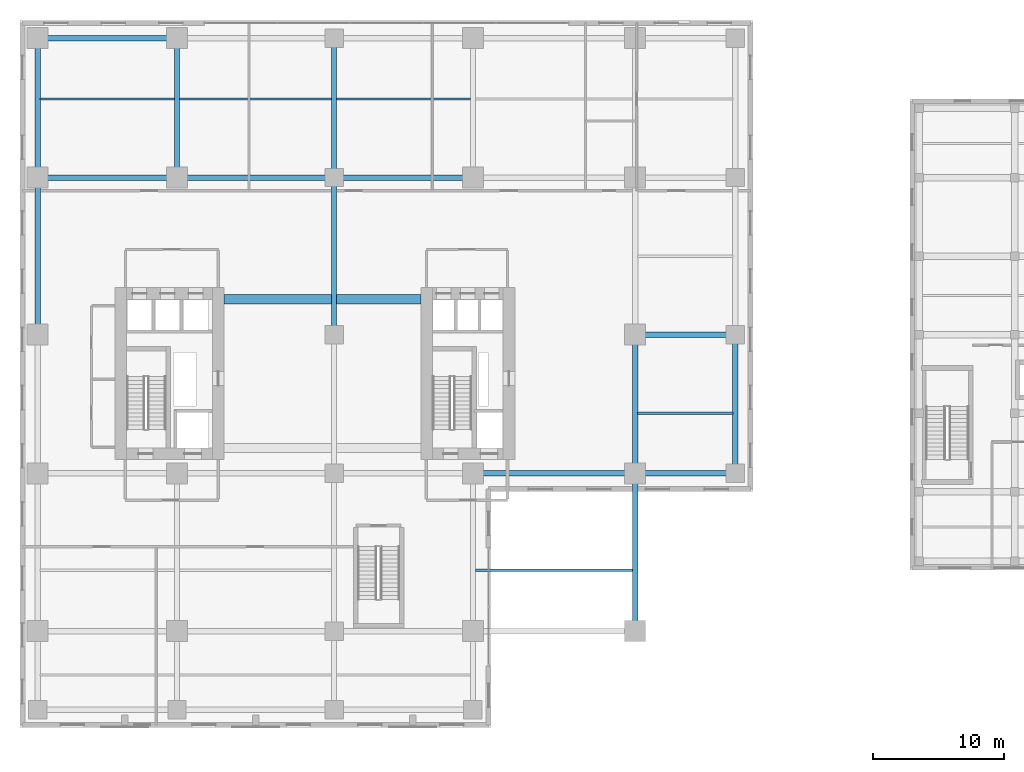
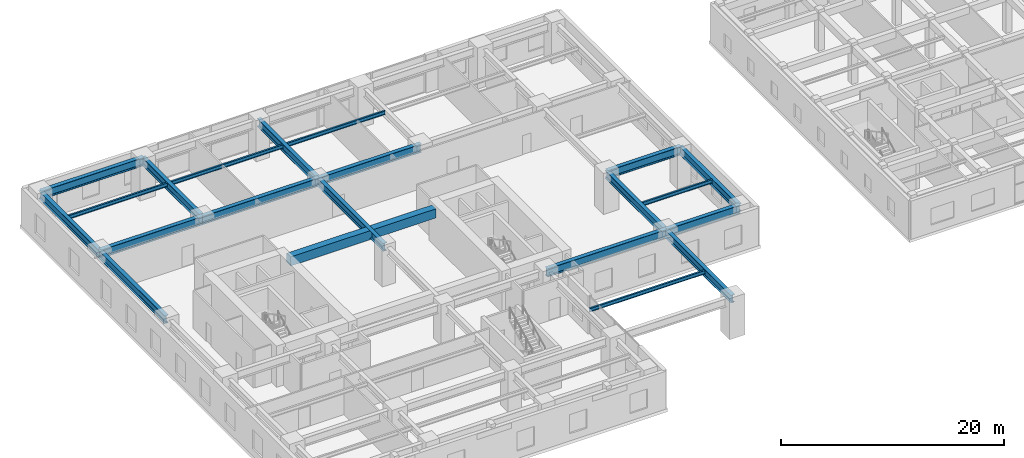
# One storey, part 4 of 26: 21 beams.
"""IFC4 building model written with IfcOpenShell, lengths in metres."""

import ifcopenshell
import ifcopenshell.guid

model = None  # the IFC model being written
_history = None  # IfcOwnerHistory: only IFC2X3 demands one
_inside = {}  # id of a spatial element -> (the spatial element, [elements in it])
_under = {}  # id of a project, library or spatial element -> (it, [spatial elements below it])
_declared = {}  # id of a project -> (the project, [libraries it declares])
_typed = {}  # id of a type object -> (the type object, [elements of that type])
_made_of = {}  # id of a material, layer set ... -> (it, [elements and type objects made of it])


def new_model(schema):
    """Start an empty IFC model of exactly this schema.

    Asked for "IFC4X3", IfcOpenShell would pick the latest addendum, in which some entities
    have other attributes; the version numbers below select the first issue.
    IFC2X3 requires an IfcOwnerHistory on every rooted entity: one is made here for all.
    """
    global model, _history
    if schema == "IFC4X3":
        model = ifcopenshell.file(schema_version=(4, 3, 0, 0))
    else:
        model = ifcopenshell.file(schema=schema)
    _inside.clear()
    _under.clear()
    _declared.clear()
    _typed.clear()
    _made_of.clear()
    _history = None
    if model.schema == "IFC2X3":
        org = make("IfcOrganization", Name="unknown")
        user = make(
            "IfcPersonAndOrganization",
            ThePerson=make("IfcPerson", FamilyName="unknown"),
            TheOrganization=org,
        )
        app = make(
            "IfcApplication",
            ApplicationDeveloper=org,
            Version="unknown",
            ApplicationFullName="unknown",
            ApplicationIdentifier="unknown",
        )
        _history = make(
            "IfcOwnerHistory",
            OwningUser=user,
            OwningApplication=app,
            ChangeAction="ADDED",
            CreationDate=0,
        )
    return model


def make(cls, **values):
    """One entity of the class cls with the attributes given. An attribute that is None is left unset."""
    return model.create_entity(
        cls, **{name: value for name, value in values.items() if value is not None}
    )


def rooted(cls, **values):
    """An entity with a GlobalId (a new one), such as an element, a storey or a relation."""
    return make(cls, GlobalId=ifcopenshell.guid.new(), OwnerHistory=_history, **values)


def si_unit(unit_type, name, prefix=None):
    """IfcSIUnit, for example si_unit("LENGTHUNIT", "METRE", prefix="MILLI")."""
    return make("IfcSIUnit", UnitType=unit_type, Prefix=prefix, Name=name)


def assignment(units):
    """IfcUnitAssignment: the units of a project."""
    return None if units is None else make("IfcUnitAssignment", Units=units)


def point(xyz):
    """IfcCartesianPoint."""
    return None if xyz is None else make("IfcCartesianPoint", Coordinates=xyz)


def direction(xyz):
    """IfcDirection."""
    return None if xyz is None else make("IfcDirection", DirectionRatios=xyz)


def frame(location, z_axis=None, x_axis=None):
    """IfcAxis2Placement3D, a coordinate frame: its origin and axes. An axis left out is left unset."""
    return make(
        "IfcAxis2Placement3D",
        Location=point(location),
        Axis=direction(z_axis),
        RefDirection=direction(x_axis),
    )


def frame_2d(location, x_axis=None):
    """IfcAxis2Placement2D, a coordinate frame in the plane: its origin and x axis."""
    return make(
        "IfcAxis2Placement2D", Location=point(location), RefDirection=direction(x_axis)
    )


def origin():
    """The frame at (0, 0, 0) with its axes left unset."""
    return frame((0.0, 0.0, 0.0))


def origin_2d():
    """The frame at (0, 0) in the plane with its x axis left unset."""
    return frame_2d((0.0, 0.0))


def place(relative_to, where):
    """IfcLocalPlacement: puts the frame where relative to a parent placement (None: the world)."""
    return make(
        "IfcLocalPlacement", PlacementRelTo=relative_to, RelativePlacement=where
    )


def context(
    kind, dimensions, precision=None, world=None, true_north=None, identifier=None
):
    """IfcGeometricRepresentationContext, for example the 3D "Model" context."""
    return make(
        "IfcGeometricRepresentationContext",
        ContextIdentifier=identifier,
        ContextType=kind,
        CoordinateSpaceDimension=dimensions,
        Precision=precision,
        WorldCoordinateSystem=world,
        TrueNorth=true_north,
    )


def subcontext(parent, identifier, kind, view, scale=None):
    """IfcGeometricRepresentationSubContext, for example "Body" below "Model"."""
    return make(
        "IfcGeometricRepresentationSubContext",
        ContextIdentifier=identifier,
        ContextType=kind,
        ParentContext=parent,
        TargetScale=scale,
        TargetView=view,
    )


def project(units=None, contexts=None):
    """IfcProject with its units and contexts."""
    return rooted(
        "IfcProject",
        Name="project",
        RepresentationContexts=contexts,
        UnitsInContext=assignment(units),
    )


def spatial(cls, under=None, at=None, **own):
    """A site, building, storey or space (cls), placed at a placement, below another one or the project."""
    s = rooted(cls, ObjectPlacement=at, **own)
    if under is not None:
        _under.setdefault(under.id(), (under, []))[1].append(s)
    return s


def profile(cls, at=None, kind="AREA", **sizes):
    """A parametric profile (cls). Its sizes go by their IFC names, for example OverallWidth=200.0."""
    return make(cls, ProfileType=kind, Position=at, **sizes)


def rectangle(**sizes):
    """IfcRectangleProfileDef."""
    return profile("IfcRectangleProfileDef", **sizes)


def i_section(**sizes):
    """IfcIShapeProfileDef."""
    return profile("IfcIShapeProfileDef", **sizes)


def extrude(swept, where, along, depth):
    """IfcExtrudedAreaSolid: the profile swept, set in the frame where, extruded along a direction by depth."""
    return make(
        "IfcExtrudedAreaSolid",
        SweptArea=swept,
        Position=where,
        ExtrudedDirection=direction(along),
        Depth=depth,
    )


def shape(context_of_items, identifier, shape_type, items):
    """IfcShapeRepresentation: the items that make up one representation, for example the "Body"."""
    return make(
        "IfcShapeRepresentation",
        ContextOfItems=context_of_items,
        RepresentationIdentifier=identifier,
        RepresentationType=shape_type,
        Items=items,
    )


def source(mapping_origin, context_of_items, identifier, shape_type, items):
    """IfcRepresentationMap: a shape defined once, which mapped items show again and again."""
    return make(
        "IfcRepresentationMap",
        MappingOrigin=mapping_origin,
        MappedRepresentation=shape(context_of_items, identifier, shape_type, items),
    )


def transform(
    local_origin,
    x_axis=None,
    y_axis=None,
    z_axis=None,
    scale=None,
    scale2=None,
    scale3=None,
    uniform=True,
):
    """IfcCartesianTransformationOperator3D, or its non-uniform kind. x_axis, y_axis, z_axis: its Axis1, 2, 3."""
    if uniform:
        return make(
            "IfcCartesianTransformationOperator3D",
            Axis1=direction(x_axis),
            Axis2=direction(y_axis),
            LocalOrigin=point(local_origin),
            Scale=scale,
            Axis3=direction(z_axis),
        )
    return make(
        "IfcCartesianTransformationOperator3DnonUniform",
        Axis1=direction(x_axis),
        Axis2=direction(y_axis),
        LocalOrigin=point(local_origin),
        Scale=scale,
        Axis3=direction(z_axis),
        Scale2=scale2,
        Scale3=scale3,
    )


def mapped(mapping_source, mapping_target):
    """IfcMappedItem: shows the shape of a source again, moved by a transform."""
    return make(
        "IfcMappedItem", MappingSource=mapping_source, MappingTarget=mapping_target
    )


def material(Name=None, Category=None):
    """IfcMaterial."""
    return make("IfcMaterial", Name=Name, Category=Category)


def material_profile(
    of_material, cross_section, Name=None, Category=None, Priority=None
):
    """IfcMaterialProfile: a cross section and its material."""
    return make(
        "IfcMaterialProfile",
        Name=Name,
        Material=of_material,
        Profile=cross_section,
        Priority=Priority,
        Category=Category,
    )


def profile_set(profiles, Name=None, composite=None):
    """IfcMaterialProfileSet."""
    return make(
        "IfcMaterialProfileSet",
        Name=Name,
        MaterialProfiles=profiles,
        CompositeProfile=composite,
    )


def made_of(thing, what):
    """Note that an element or type object is made of a material, layer set ...; save() writes the relation."""
    if what is not None:
        _made_of.setdefault(what.id(), (what, []))[1].append(thing)
    return thing


def type_object(cls, material=None, **own):
    """A type object (cls), such as IfcWallType, which elements share."""
    return made_of(rooted(cls, **own), material)


def element(
    cls,
    number,
    at=None,
    inside=None,
    cuts=None,
    type_object=None,
    material=None,
    context=None,
    identifier="Body",
    shape_type=None,
    held_by="IfcProductDefinitionShape",
    body=None,
    shapes=None,
    **own,
):
    """One element of the class cls, such as IfcWall. Its Tag is "e" and its number.

    at: its placement. inside: the storey or other place that contains it. cuts: it is an
    opening in that element (IfcRelVoidsElement). A single representation is given by context,
    identifier, shape_type and body (its items); several are given by shapes. held_by: the class
    of the entity that holds the representations. save() writes the other relations.
    """
    e = rooted(cls, Tag="e%d" % number, ObjectPlacement=at, **own)
    if body is not None:
        shapes = [shape(context, identifier, shape_type, body)]
    if shapes is not None:
        e.Representation = make(held_by, Representations=shapes)
    if inside is not None:
        _inside.setdefault(inside.id(), (inside, []))[1].append(e)
    if cuts is not None:
        rooted(
            "IfcRelVoidsElement", RelatingBuildingElement=cuts, RelatedOpeningElement=e
        )
    if type_object is not None:
        _typed.setdefault(type_object.id(), (type_object, []))[1].append(e)
    return made_of(e, material)


def aggregate(whole, parts):
    """IfcRelAggregates: a whole, such as a stair, and the parts it consists of."""
    return rooted("IfcRelAggregates", RelatingObject=whole, RelatedObjects=parts)


def save(model, path):
    """Write the relations noted so far, then the file.

    IfcRelAggregates (storeys below a building ...), IfcRelContainedInSpatialStructure (elements
    in a storey), IfcRelDefinesByType, IfcRelAssociatesMaterial and IfcRelDeclares: one each for
    every whole, place, type object, material and project.
    """
    for whole, parts in _under.values():
        aggregate(whole, parts)
    for where, things in _inside.values():
        rooted(
            "IfcRelContainedInSpatialStructure",
            RelatedElements=things,
            RelatingStructure=where,
        )
    for kind, things in _typed.values():
        rooted("IfcRelDefinesByType", RelatedObjects=things, RelatingType=kind)
    for what, things in _made_of.values():
        rooted("IfcRelAssociatesMaterial", RelatedObjects=things, RelatingMaterial=what)
    for by, libraries in _declared.values():
        rooted("IfcRelDeclares", RelatingContext=by, RelatedDefinitions=libraries)
    model.write(path)


model = new_model("IFC4")

# Units and contexts
model_context = context("Model", 3, precision=1e-05, world=origin(), true_north=direction((0.0, 1.0)))
body_context = subcontext(model_context, "Body", "Model", "MODEL_VIEW")
ifc_project = project(units=[si_unit("LENGTHUNIT", "METRE"), si_unit("AREAUNIT", "SQUARE_METRE"), si_unit("VOLUMEUNIT", "CUBIC_METRE"), si_unit("PLANEANGLEUNIT", "RADIAN"), si_unit("MASSUNIT", "GRAM", prefix="KILO")], contexts=[model_context])

# Site, building, storey
site_placement = place(None, origin())
site = spatial("IfcSite", under=ifc_project, at=site_placement, CompositionType="ELEMENT")
building_placement = place(site_placement, origin())
building = spatial("IfcBuilding", under=site, at=building_placement, Name="Khoralis Quay Care Tower", CompositionType="ELEMENT")
storey_placement = place(building_placement, frame((0.0, 0.0, 4.5)))
storey = spatial("IfcBuildingStorey", under=building, at=storey_placement, Name="L01", CompositionType="ELEMENT", Elevation=4.5)

# Beams
ifc_material_1 = material(Name="Concrete C80/95", Category="concrete")
ifc_material_profile_1 = material_profile(ifc_material_1, rectangle(XDim=0.699951171875, YDim=1.0, at=origin_2d()), Name="Concrete C80/95")
ifc_profile_set_1 = profile_set([ifc_material_profile_1], Name="Concrete C80/95")
beam_type_1 = type_object("IfcBeamType", Name="CB-RC700X1000", PredefinedType="LINTEL", material=ifc_profile_set_1)
shared_shape_1 = source(origin(), body_context, "Body", "SweptSolid", [
    extrude(rectangle(XDim=0.699951171875, YDim=1.0, at=origin_2d()), origin(), (0.0, 0.0, 1.0), 15.079833984375),
])
beam_1_placement = place(storey_placement, frame((15.570068359375, 26.699951171875, 3.659912109375), z_axis=(1.0, 0.0, 0.0), x_axis=(0.0, 1.0, 0.0)))
element("IfcBeam", 1, at=beam_1_placement, inside=storey, type_object=beam_type_1, Name="L01 North Core Coupling Lintel", PredefinedType="LINTEL", context=body_context, shape_type="MappedRepresentation", body=[
    mapped(shared_shape_1, transform((0.0, 0.0, 0.0), scale=1.0)),
])
ifc_material_2 = material(Name="Steel S355", Category="steel")
ifc_material_profile_2 = material_profile(ifc_material_2, i_section(OverallWidth=0.41796875, OverallDepth=0.912109375, WebThickness=0.019287109375, FlangeThickness=0.031982421875, FilletRadius=0.02392578125, at=origin_2d()), Name="Steel S355")
ifc_profile_set_2 = profile_set([ifc_material_profile_2], Name="Steel S355")
beam_type_2 = type_object("IfcBeamType", Name="BM-W920X342", PredefinedType="BEAM", material=ifc_profile_set_2)
shared_shape_2 = source(origin(), body_context, "Body", "SweptSolid", [
    extrude(i_section(OverallWidth=0.41796875, OverallDepth=0.912109375, WebThickness=0.019287109375, FlangeThickness=0.031982421875, FilletRadius=0.02392578125, at=origin_2d()), origin(), (0.0, 0.0, 1.0), 10.64990234375),
])
for number, where, z_axis, x_axis, name in (
    (2, (1.35009765625, 36.0, 3.7041015625), (1.0, 0.0, 0.0), (0.0, 1.0, 0.0), "BM-PODX-L01-14"),
    (3, (1.35009765625, 46.64990234375, 3.7041015625), (1.0, 0.0, 0.0), (0.0, 1.0, 0.0), "BM-PODX-L01-19"),
):
    element("IfcBeam", number, at=place(storey_placement, frame(where, z_axis=z_axis, x_axis=x_axis)), inside=storey, type_object=beam_type_2, Name=name, PredefinedType="BEAM", context=body_context, shape_type="MappedRepresentation", body=[
        mapped(shared_shape_2, transform((0.0, 0.0, 0.0), scale=1.0)),
    ])
shared_shape_3 = source(origin(), body_context, "Body", "SweptSolid", [
    extrude(i_section(OverallWidth=0.41796875, OverallDepth=0.912109375, WebThickness=0.019287109375, FlangeThickness=0.031982421875, FilletRadius=0.02392578125, at=origin_2d()), origin(), (0.0, 0.0, 1.0), 12.0),
])
beam_2_placement = place(storey_placement, frame((12.0, 36.0, 3.7041015625), z_axis=(1.0, 0.0, 0.0), x_axis=(0.0, 1.0, 0.0)))
element("IfcBeam", 4, at=beam_2_placement, inside=storey, type_object=beam_type_2, Name="BM-PODX-L01-15", PredefinedType="BEAM", context=body_context, shape_type="MappedRepresentation", body=[
    mapped(shared_shape_3, transform((0.0, 0.0, 0.0), scale=1.0)),
])
shared_shape_4 = source(origin(), body_context, "Body", "SweptSolid", [
    extrude(i_section(OverallWidth=0.41796875, OverallDepth=0.912109375, WebThickness=0.019287109375, FlangeThickness=0.031982421875, FilletRadius=0.02392578125, at=origin_2d()), origin(), (0.0, 0.0, 1.0), 10.60009765625),
])
beam_3_placement = place(storey_placement, frame((24.0, 36.0, 3.7041015625), z_axis=(1.0, 0.0, 0.0), x_axis=(0.0, 1.0, 0.0)))
element("IfcBeam", 5, at=beam_3_placement, inside=storey, type_object=beam_type_2, Name="BM-PODX-L01-16", PredefinedType="BEAM", context=body_context, shape_type="MappedRepresentation", body=[
    mapped(shared_shape_4, transform((0.0, 0.0, 0.0), scale=1.0)),
])
shared_shape_5 = source(origin(), body_context, "Body", "SweptSolid", [
    extrude(i_section(OverallWidth=0.41796875, OverallDepth=0.912109375, WebThickness=0.019287109375, FlangeThickness=0.031982421875, FilletRadius=0.02392578125, at=origin_2d()), origin(), (0.0, 0.0, 1.0), 12.39990234375),
])
beam_4_placement = place(storey_placement, frame((34.60009765625, 13.39990234375, 3.7041015625), z_axis=(1.0, 0.0, 0.0), x_axis=(0.0, 1.0, 0.0)))
element("IfcBeam", 6, at=beam_4_placement, inside=storey, type_object=beam_type_2, Name="BM-PODX-L01-11", PredefinedType="BEAM", context=body_context, shape_type="MappedRepresentation", body=[
    mapped(shared_shape_5, transform((0.0, 0.0, 0.0), scale=1.0)),
])
shared_shape_6 = source(origin(), body_context, "Body", "SweptSolid", [
    extrude(i_section(OverallWidth=0.41796875, OverallDepth=0.912109375, WebThickness=0.019287109375, FlangeThickness=0.031982421875, FilletRadius=0.02392578125, at=origin_2d()), origin(), (0.0, 0.0, 1.0), 7.64990234375),
])
for number, where, z_axis, x_axis, name in (
    (7, (47.0, 13.39990234375, 3.7041015625), (1.0, 0.0, 0.0), (0.0, 1.0, 0.0), "BM-PODX-L01-12"),
    (8, (47.0, 24.0, 3.7041015625), (1.0, 0.0, 0.0), (0.0, 1.0, 0.0), "BM-PODX-L01-13"),
):
    element("IfcBeam", number, at=place(storey_placement, frame(where, z_axis=z_axis, x_axis=x_axis)), inside=storey, type_object=beam_type_2, Name=name, PredefinedType="BEAM", context=body_context, shape_type="MappedRepresentation", body=[
        mapped(shared_shape_6, transform((0.0, 0.0, 0.0), scale=1.0)),
    ])
ifc_material_profile_3 = material_profile(ifc_material_2, i_section(OverallWidth=0.39990234375, OverallDepth=0.85498046875, WebThickness=0.018310546875, FlangeThickness=0.029296875, FilletRadius=0.02392578125, at=origin_2d()), Name="Steel S355")
ifc_profile_set_3 = profile_set([ifc_material_profile_3], Name="Steel S355")
beam_type_3 = type_object("IfcBeamType", Name="BM-W840X299", PredefinedType="BEAM", material=ifc_profile_set_3)
shared_shape_7 = source(origin(), body_context, "Body", "SweptSolid", [
    extrude(i_section(OverallWidth=0.39990234375, OverallDepth=0.85498046875, WebThickness=0.018310546875, FlangeThickness=0.029296875, FilletRadius=0.02392578125, at=origin_2d()), origin(), (0.0, 0.0, 1.0), 12.0498046875),
])
beam_5_placement = place(storey_placement, frame((47.0, 1.35009765625, 3.732421875), z_axis=(0.0, 1.0, 0.0), x_axis=(-1.0, 0.0, 0.0)))
element("IfcBeam", 9, at=beam_5_placement, inside=storey, type_object=beam_type_3, Name="BM-PODY-L01-40", PredefinedType="BEAM", context=body_context, shape_type="MappedRepresentation", body=[
    mapped(shared_shape_7, transform((0.0, 0.0, 0.0), scale=1.0)),
])
shared_shape_8 = source(origin(), body_context, "Body", "SweptSolid", [
    extrude(i_section(OverallWidth=0.39990234375, OverallDepth=0.85498046875, WebThickness=0.018310546875, FlangeThickness=0.029296875, FilletRadius=0.02392578125, at=origin_2d()), origin(), (0.0, 0.0, 1.0), 10.60009765625),
])
for number, where, z_axis, x_axis, name in (
    (10, (47.0, 13.39990234375, 3.732421875), (0.0, 1.0, 0.0), (-1.0, 0.0, 0.0), "BM-PODY-L01-41"),
    (11, (54.64990234375, 13.39990234375, 3.732421875), (0.0, 1.0, 0.0), (-1.0, 0.0, 0.0), "BM-PODY-L01-44"),
):
    element("IfcBeam", number, at=place(storey_placement, frame(where, z_axis=z_axis, x_axis=x_axis)), inside=storey, type_object=beam_type_3, Name=name, PredefinedType="BEAM", context=body_context, shape_type="MappedRepresentation", body=[
        mapped(shared_shape_8, transform((0.0, 0.0, 0.0), scale=1.0)),
    ])
shared_shape_9 = source(origin(), body_context, "Body", "SweptSolid", [
    extrude(i_section(OverallWidth=0.39990234375, OverallDepth=0.85498046875, WebThickness=0.018310546875, FlangeThickness=0.029296875, FilletRadius=0.02392578125, at=origin_2d()), origin(), (0.0, 0.0, 1.0), 12.0),
])
for number, where, z_axis, x_axis, name in (
    (12, (1.35009765625, 24.0, 3.732421875), (0.0, 1.0, 0.0), (-1.0, 0.0, 0.0), "BM-PODY-L01-27"),
    (13, (24.0, 24.0, 3.732421875), (0.0, 1.0, 0.0), (-1.0, 0.0, 0.0), "BM-PODY-L01-35"),
):
    element("IfcBeam", number, at=place(storey_placement, frame(where, z_axis=z_axis, x_axis=x_axis)), inside=storey, type_object=beam_type_3, Name=name, PredefinedType="BEAM", context=body_context, shape_type="MappedRepresentation", body=[
        mapped(shared_shape_9, transform((0.0, 0.0, 0.0), scale=1.0)),
    ])
shared_shape_10 = source(origin(), body_context, "Body", "SweptSolid", [
    extrude(i_section(OverallWidth=0.39990234375, OverallDepth=0.85498046875, WebThickness=0.018310546875, FlangeThickness=0.029296875, FilletRadius=0.02392578125, at=origin_2d()), origin(), (0.0, 0.0, 1.0), 10.64990234375),
])
for number, where, z_axis, x_axis, name in (
    (14, (1.35009765625, 36.0, 3.732421875), (0.0, 1.0, 0.0), (-1.0, 0.0, 0.0), "BM-PODY-L01-28"),
    (15, (12.0, 36.0, 3.732421875), (0.0, 1.0, 0.0), (-1.0, 0.0, 0.0), "BM-PODY-L01-31"),
    (16, (24.0, 36.0, 3.732421875), (0.0, 1.0, 0.0), (-1.0, 0.0, 0.0), "BM-PODY-L01-36"),
):
    element("IfcBeam", number, at=place(storey_placement, frame(where, z_axis=z_axis, x_axis=x_axis)), inside=storey, type_object=beam_type_3, Name=name, PredefinedType="BEAM", context=body_context, shape_type="MappedRepresentation", body=[
        mapped(shared_shape_10, transform((0.0, 0.0, 0.0), scale=1.0)),
    ])
ifc_material_profile_4 = material_profile(ifc_material_2, i_section(OverallWidth=0.177978515625, OverallDepth=0.406982421875, WebThickness=0.0078125, FlangeThickness=0.0126953125, FilletRadius=0.012939453125, at=origin_2d()), Name="Steel S355")
ifc_profile_set_4 = profile_set([ifc_material_profile_4], Name="Steel S355")
beam_type_4 = type_object("IfcBeamType", Name="BM-W410X60", PredefinedType="JOIST", material=ifc_profile_set_4)
shared_shape_11 = source(origin(), body_context, "Body", "SweptSolid", [
    extrude(i_section(OverallWidth=0.177978515625, OverallDepth=0.406982421875, WebThickness=0.0078125, FlangeThickness=0.0126953125, FilletRadius=0.012939453125, at=origin_2d()), origin(), (0.0, 0.0, 1.0), 10.27392578125),
])
beam_6_placement = place(storey_placement, frame((1.5380859375, 42.0, 3.95654296875), z_axis=(1.0, 0.0, 0.0), x_axis=(0.0, 1.0, 0.0)))
element("IfcBeam", 17, at=beam_6_placement, inside=storey, type_object=beam_type_4, Name="BM-PODJ-L01-55", PredefinedType="JOIST", context=body_context, shape_type="MappedRepresentation", body=[
    mapped(shared_shape_11, transform((0.0, 0.0, 0.0), scale=1.0)),
])
shared_shape_12 = source(origin(), body_context, "Body", "SweptSolid", [
    extrude(i_section(OverallWidth=0.177978515625, OverallDepth=0.406982421875, WebThickness=0.0078125, FlangeThickness=0.0126953125, FilletRadius=0.012939453125, at=origin_2d()), origin(), (0.0, 0.0, 1.0), 11.6240234375),
])
beam_7_placement = place(storey_placement, frame((12.18798828125, 42.0, 3.95654296875), z_axis=(1.0, 0.0, 0.0), x_axis=(0.0, 1.0, 0.0)))
element("IfcBeam", 18, at=beam_7_placement, inside=storey, type_object=beam_type_4, Name="BM-PODJ-L01-56", PredefinedType="JOIST", context=body_context, shape_type="MappedRepresentation", body=[
    mapped(shared_shape_12, transform((0.0, 0.0, 0.0), scale=1.0)),
])
shared_shape_13 = source(origin(), body_context, "Body", "SweptSolid", [
    extrude(i_section(OverallWidth=0.177978515625, OverallDepth=0.406982421875, WebThickness=0.0078125, FlangeThickness=0.0126953125, FilletRadius=0.012939453125, at=origin_2d()), origin(), (0.0, 0.0, 1.0), 10.22412109375),
])
beam_8_placement = place(storey_placement, frame((24.18798828125, 42.0, 3.95654296875), z_axis=(1.0, 0.0, 0.0), x_axis=(0.0, 1.0, 0.0)))
element("IfcBeam", 19, at=beam_8_placement, inside=storey, type_object=beam_type_4, Name="BM-PODJ-L01-57", PredefinedType="JOIST", context=body_context, shape_type="MappedRepresentation", body=[
    mapped(shared_shape_13, transform((0.0, 0.0, 0.0), scale=1.0)),
])
shared_shape_14 = source(origin(), body_context, "Body", "SweptSolid", [
    extrude(i_section(OverallWidth=0.177978515625, OverallDepth=0.406982421875, WebThickness=0.0078125, FlangeThickness=0.0126953125, FilletRadius=0.012939453125, at=origin_2d()), origin(), (0.0, 0.0, 1.0), 12.02392578125),
])
beam_9_placement = place(storey_placement, frame((34.7880859375, 6.0, 3.95654296875), z_axis=(1.0, 0.0, 0.0), x_axis=(0.0, 1.0, 0.0)))
element("IfcBeam", 20, at=beam_9_placement, inside=storey, type_object=beam_type_4, Name="BM-PODJ-L01-52", PredefinedType="JOIST", context=body_context, shape_type="MappedRepresentation", body=[
    mapped(shared_shape_14, transform((0.0, 0.0, 0.0), scale=1.0)),
])
shared_shape_15 = source(origin(), body_context, "Body", "SweptSolid", [
    extrude(i_section(OverallWidth=0.177978515625, OverallDepth=0.406982421875, WebThickness=0.0078125, FlangeThickness=0.0126953125, FilletRadius=0.012939453125, at=origin_2d()), origin(), (0.0, 0.0, 1.0), 7.27392578125),
])
beam_10_placement = place(storey_placement, frame((47.18798828125, 18.0, 3.95654296875), z_axis=(1.0, 0.0, 0.0), x_axis=(0.0, 1.0, 0.0)))
element("IfcBeam", 21, at=beam_10_placement, inside=storey, type_object=beam_type_4, Name="BM-PODJ-L01-53", PredefinedType="JOIST", context=body_context, shape_type="MappedRepresentation", body=[
    mapped(shared_shape_15, transform((0.0, 0.0, 0.0), scale=1.0)),
])

save(model, "model.ifc")
